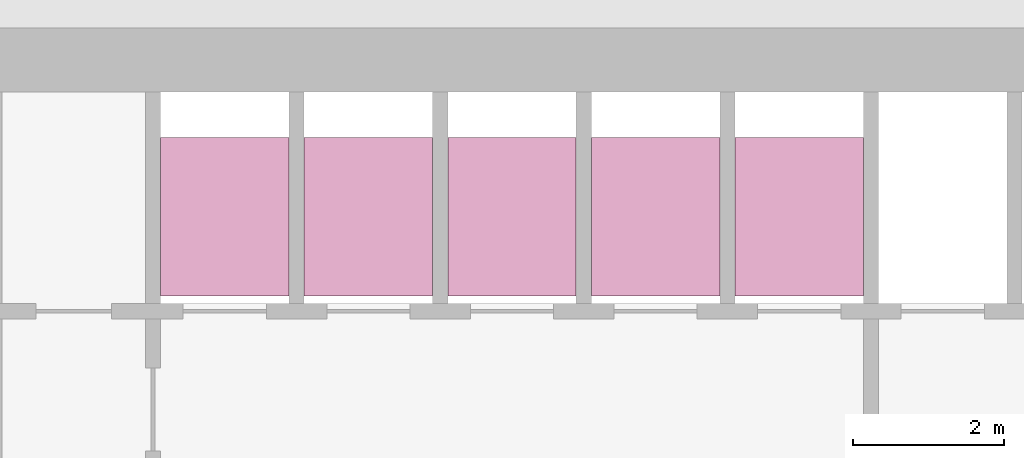
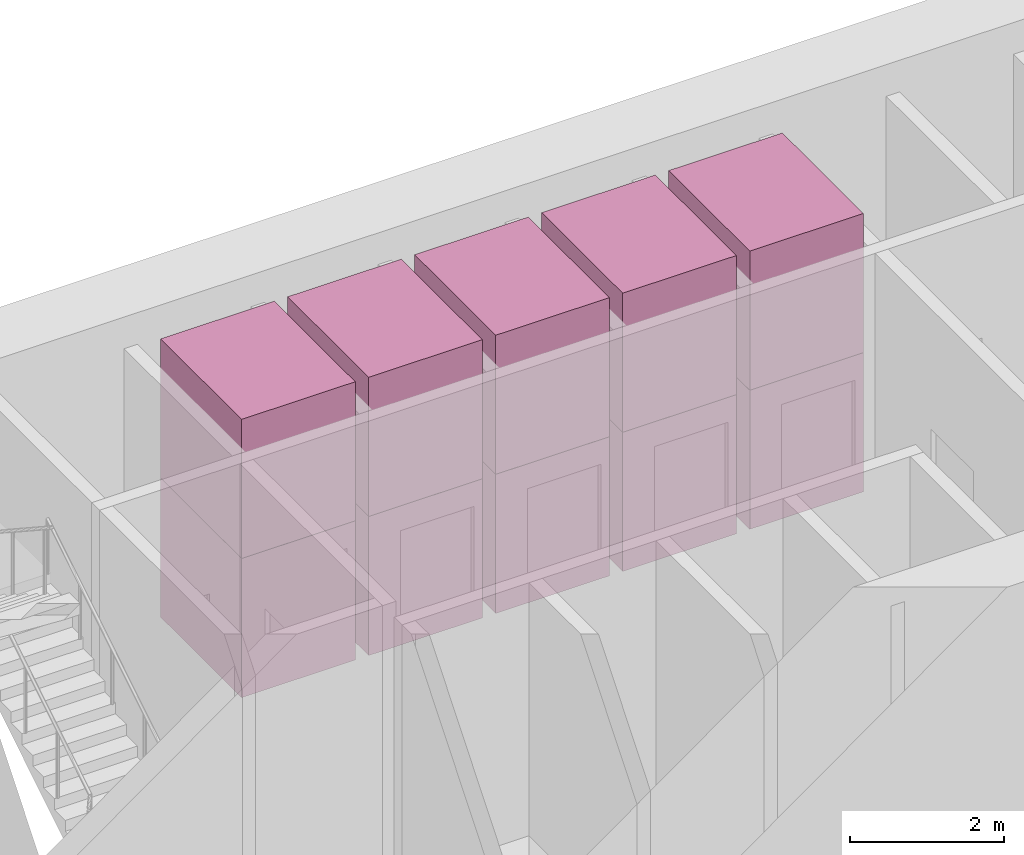
# One storey, part 14 of 15: 10 transport elements.
"""IFC4 building model written with IfcOpenShell, lengths in metres."""

import ifcopenshell
import ifcopenshell.guid

model = None  # the IFC model being written
_history = None  # IfcOwnerHistory: only IFC2X3 demands one
_inside = {}  # id of a spatial element -> (the spatial element, [elements in it])
_under = {}  # id of a project, library or spatial element -> (it, [spatial elements below it])
_declared = {}  # id of a project -> (the project, [libraries it declares])
_typed = {}  # id of a type object -> (the type object, [elements of that type])
_made_of = {}  # id of a material, layer set ... -> (it, [elements and type objects made of it])


def new_model(schema):
    """Start an empty IFC model of exactly this schema.

    Asked for "IFC4X3", IfcOpenShell would pick the latest addendum, in which some entities
    have other attributes; the version numbers below select the first issue.
    IFC2X3 requires an IfcOwnerHistory on every rooted entity: one is made here for all.
    """
    global model, _history
    if schema == "IFC4X3":
        model = ifcopenshell.file(schema_version=(4, 3, 0, 0))
    else:
        model = ifcopenshell.file(schema=schema)
    _inside.clear()
    _under.clear()
    _declared.clear()
    _typed.clear()
    _made_of.clear()
    _history = None
    if model.schema == "IFC2X3":
        org = make("IfcOrganization", Name="unknown")
        user = make(
            "IfcPersonAndOrganization",
            ThePerson=make("IfcPerson", FamilyName="unknown"),
            TheOrganization=org,
        )
        app = make(
            "IfcApplication",
            ApplicationDeveloper=org,
            Version="unknown",
            ApplicationFullName="unknown",
            ApplicationIdentifier="unknown",
        )
        _history = make(
            "IfcOwnerHistory",
            OwningUser=user,
            OwningApplication=app,
            ChangeAction="ADDED",
            CreationDate=0,
        )
    return model


def make(cls, **values):
    """One entity of the class cls with the attributes given. An attribute that is None is left unset."""
    return model.create_entity(
        cls, **{name: value for name, value in values.items() if value is not None}
    )


def rooted(cls, **values):
    """An entity with a GlobalId (a new one), such as an element, a storey or a relation."""
    return make(cls, GlobalId=ifcopenshell.guid.new(), OwnerHistory=_history, **values)


def si_unit(unit_type, name, prefix=None):
    """IfcSIUnit, for example si_unit("LENGTHUNIT", "METRE", prefix="MILLI")."""
    return make("IfcSIUnit", UnitType=unit_type, Prefix=prefix, Name=name)


def assignment(units):
    """IfcUnitAssignment: the units of a project."""
    return None if units is None else make("IfcUnitAssignment", Units=units)


def point(xyz):
    """IfcCartesianPoint."""
    return None if xyz is None else make("IfcCartesianPoint", Coordinates=xyz)


def direction(xyz):
    """IfcDirection."""
    return None if xyz is None else make("IfcDirection", DirectionRatios=xyz)


def frame(location, z_axis=None, x_axis=None):
    """IfcAxis2Placement3D, a coordinate frame: its origin and axes. An axis left out is left unset."""
    return make(
        "IfcAxis2Placement3D",
        Location=point(location),
        Axis=direction(z_axis),
        RefDirection=direction(x_axis),
    )


def frame_2d(location, x_axis=None):
    """IfcAxis2Placement2D, a coordinate frame in the plane: its origin and x axis."""
    return make(
        "IfcAxis2Placement2D", Location=point(location), RefDirection=direction(x_axis)
    )


def origin():
    """The frame at (0, 0, 0) with its axes left unset."""
    return frame((0.0, 0.0, 0.0))


def origin_2d():
    """The frame at (0, 0) in the plane with its x axis left unset."""
    return frame_2d((0.0, 0.0))


def place(relative_to, where):
    """IfcLocalPlacement: puts the frame where relative to a parent placement (None: the world)."""
    return make(
        "IfcLocalPlacement", PlacementRelTo=relative_to, RelativePlacement=where
    )


def context(
    kind, dimensions, precision=None, world=None, true_north=None, identifier=None
):
    """IfcGeometricRepresentationContext, for example the 3D "Model" context."""
    return make(
        "IfcGeometricRepresentationContext",
        ContextIdentifier=identifier,
        ContextType=kind,
        CoordinateSpaceDimension=dimensions,
        Precision=precision,
        WorldCoordinateSystem=world,
        TrueNorth=true_north,
    )


def subcontext(parent, identifier, kind, view, scale=None):
    """IfcGeometricRepresentationSubContext, for example "Body" below "Model"."""
    return make(
        "IfcGeometricRepresentationSubContext",
        ContextIdentifier=identifier,
        ContextType=kind,
        ParentContext=parent,
        TargetScale=scale,
        TargetView=view,
    )


def project(units=None, contexts=None):
    """IfcProject with its units and contexts."""
    return rooted(
        "IfcProject",
        Name="project",
        RepresentationContexts=contexts,
        UnitsInContext=assignment(units),
    )


def spatial(cls, under=None, at=None, **own):
    """A site, building, storey or space (cls), placed at a placement, below another one or the project."""
    s = rooted(cls, ObjectPlacement=at, **own)
    if under is not None:
        _under.setdefault(under.id(), (under, []))[1].append(s)
    return s


def profile(cls, at=None, kind="AREA", **sizes):
    """A parametric profile (cls). Its sizes go by their IFC names, for example OverallWidth=200.0."""
    return make(cls, ProfileType=kind, Position=at, **sizes)


def rectangle(**sizes):
    """IfcRectangleProfileDef."""
    return profile("IfcRectangleProfileDef", **sizes)


def extrude(swept, where, along, depth):
    """IfcExtrudedAreaSolid: the profile swept, set in the frame where, extruded along a direction by depth."""
    return make(
        "IfcExtrudedAreaSolid",
        SweptArea=swept,
        Position=where,
        ExtrudedDirection=direction(along),
        Depth=depth,
    )


def shape(context_of_items, identifier, shape_type, items):
    """IfcShapeRepresentation: the items that make up one representation, for example the "Body"."""
    return make(
        "IfcShapeRepresentation",
        ContextOfItems=context_of_items,
        RepresentationIdentifier=identifier,
        RepresentationType=shape_type,
        Items=items,
    )


def material(Name=None, Category=None):
    """IfcMaterial."""
    return make("IfcMaterial", Name=Name, Category=Category)


def made_of(thing, what):
    """Note that an element or type object is made of a material, layer set ...; save() writes the relation."""
    if what is not None:
        _made_of.setdefault(what.id(), (what, []))[1].append(thing)
    return thing


def type_object(cls, material=None, **own):
    """A type object (cls), such as IfcWallType, which elements share."""
    return made_of(rooted(cls, **own), material)


def element(
    cls,
    number,
    at=None,
    inside=None,
    cuts=None,
    type_object=None,
    material=None,
    context=None,
    identifier="Body",
    shape_type=None,
    held_by="IfcProductDefinitionShape",
    body=None,
    shapes=None,
    **own,
):
    """One element of the class cls, such as IfcWall. Its Tag is "e" and its number.

    at: its placement. inside: the storey or other place that contains it. cuts: it is an
    opening in that element (IfcRelVoidsElement). A single representation is given by context,
    identifier, shape_type and body (its items); several are given by shapes. held_by: the class
    of the entity that holds the representations. save() writes the other relations.
    """
    e = rooted(cls, Tag="e%d" % number, ObjectPlacement=at, **own)
    if body is not None:
        shapes = [shape(context, identifier, shape_type, body)]
    if shapes is not None:
        e.Representation = make(held_by, Representations=shapes)
    if inside is not None:
        _inside.setdefault(inside.id(), (inside, []))[1].append(e)
    if cuts is not None:
        rooted(
            "IfcRelVoidsElement", RelatingBuildingElement=cuts, RelatedOpeningElement=e
        )
    if type_object is not None:
        _typed.setdefault(type_object.id(), (type_object, []))[1].append(e)
    return made_of(e, material)


def aggregate(whole, parts):
    """IfcRelAggregates: a whole, such as a stair, and the parts it consists of."""
    return rooted("IfcRelAggregates", RelatingObject=whole, RelatedObjects=parts)


def save(model, path):
    """Write the relations noted so far, then the file.

    IfcRelAggregates (storeys below a building ...), IfcRelContainedInSpatialStructure (elements
    in a storey), IfcRelDefinesByType, IfcRelAssociatesMaterial and IfcRelDeclares: one each for
    every whole, place, type object, material and project.
    """
    for whole, parts in _under.values():
        aggregate(whole, parts)
    for where, things in _inside.values():
        rooted(
            "IfcRelContainedInSpatialStructure",
            RelatedElements=things,
            RelatingStructure=where,
        )
    for kind, things in _typed.values():
        rooted("IfcRelDefinesByType", RelatedObjects=things, RelatingType=kind)
    for what, things in _made_of.values():
        rooted("IfcRelAssociatesMaterial", RelatedObjects=things, RelatingMaterial=what)
    for by, libraries in _declared.values():
        rooted("IfcRelDeclares", RelatingContext=by, RelatedDefinitions=libraries)
    model.write(path)


model = new_model("IFC4")

# Units and contexts
model_context = context("Model", 3, precision=1e-05, world=origin(), true_north=direction((0.0, 1.0)))
body_context = subcontext(model_context, "Body", "Model", "MODEL_VIEW")
ifc_project = project(units=[si_unit("LENGTHUNIT", "METRE"), si_unit("AREAUNIT", "SQUARE_METRE"), si_unit("VOLUMEUNIT", "CUBIC_METRE"), si_unit("PLANEANGLEUNIT", "RADIAN"), si_unit("MASSUNIT", "GRAM", prefix="KILO")], contexts=[model_context])

# Site, building, storey
site_placement = place(None, origin())
site = spatial("IfcSite", under=ifc_project, at=site_placement, CompositionType="ELEMENT")
building_placement = place(site_placement, origin())
building = spatial("IfcBuilding", under=site, at=building_placement, Name="Altiplano Prism Tower", CompositionType="ELEMENT")
storey_placement = place(building_placement, frame((0.0, 0.0, 22.5)))
storey = spatial("IfcBuildingStorey", under=building, at=storey_placement, Name="L04", CompositionType="ELEMENT", Elevation=22.5)

# Transport elements
ifc_material = material(Name="Stainless steel lift car", Category="steel")
transport_element_type = type_object("IfcTransportElementType", Name="Passenger lift car 1600 x 2100", PredefinedType="ELEVATOR", material=ifc_material)
for number, where, z_axis, x_axis, name in (
    (1, (79.050048828125, 101.75, 0.0498046875), (0.0, 0.0, 1.0), (1.0, 0.0, 0.0), "Low Zone Passenger Lift 1"),
    (2, (79.050048828125, 101.75, 2.25), (0.0, 0.0, 1.0), (1.0, 0.0, 0.0), "Low Zone Passenger Lift 1"),
    (3, (80.949951171875, 101.75, 0.0498046875), (0.0, 0.0, 1.0), (1.0, 0.0, 0.0), "Low Zone Passenger Lift 2"),
    (4, (80.949951171875, 101.75, 2.25), (0.0, 0.0, 1.0), (1.0, 0.0, 0.0), "Low Zone Passenger Lift 2"),
    (5, (82.85009765625, 101.75, 0.0498046875), (0.0, 0.0, 1.0), (1.0, 0.0, 0.0), "Low Zone Passenger Lift 3"),
    (6, (82.85009765625, 101.75, 2.25), (0.0, 0.0, 1.0), (1.0, 0.0, 0.0), "Low Zone Passenger Lift 3"),
    (7, (84.75, 101.75, 0.0498046875), (0.0, 0.0, 1.0), (1.0, 0.0, 0.0), "Low Zone Passenger Lift 4"),
    (8, (84.75, 101.75, 2.25), (0.0, 0.0, 1.0), (1.0, 0.0, 0.0), "Low Zone Passenger Lift 4"),
    (9, (86.64990234375, 101.75, 0.0498046875), (0.0, 0.0, 1.0), (1.0, 0.0, 0.0), "Low Zone Passenger Lift 5"),
    (10, (86.64990234375, 101.75, 2.25), (0.0, 0.0, 1.0), (1.0, 0.0, 0.0), "Low Zone Passenger Lift 5"),
):
    element("IfcTransportElement", number, at=place(storey_placement, frame(where, z_axis=z_axis, x_axis=x_axis)), inside=storey, type_object=transport_element_type, Name=name, PredefinedType="ELEVATOR", context=body_context, shape_type="SweptSolid", body=[
        extrude(rectangle(XDim=1.699951171875, YDim=2.10009765625, at=origin_2d()), origin(), (0.0, 0.0, 1.0), 2.199951171875),
    ])

save(model, "model.ifc")
